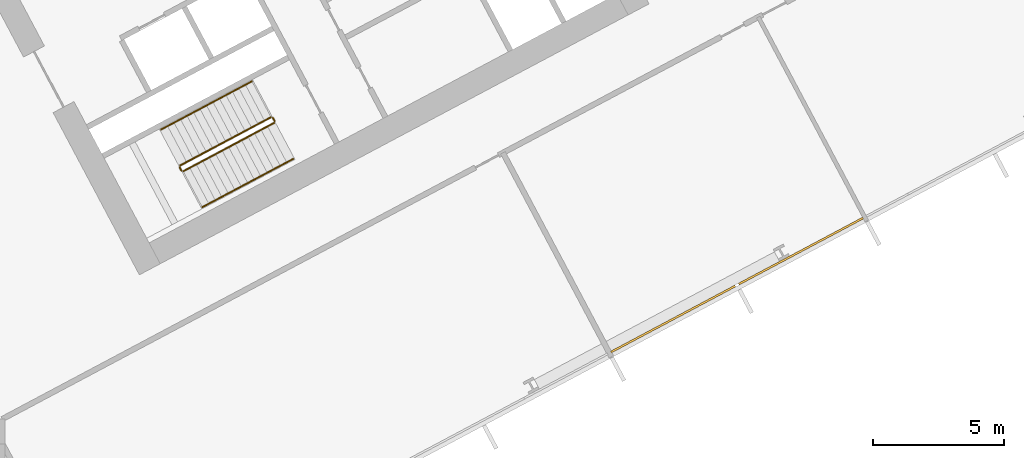
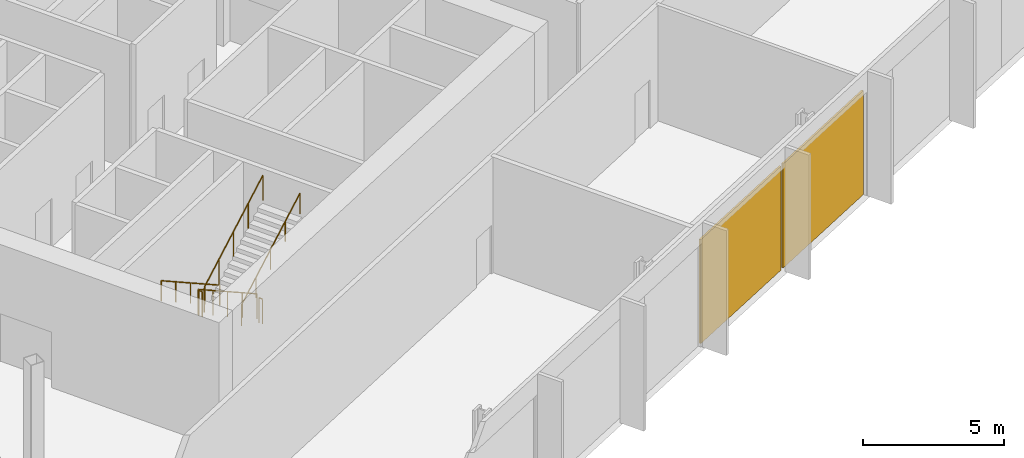
# One storey, part 27 of 32: 6 railings, 2 coverings, 1 element without a shape of its own.
"""IFC4 building model written with IfcOpenShell, lengths in metres."""

from ifc_helpers import new_model, si_unit, direction, frame, origin, origin_2d, place, context, subcontext, project, spatial, polyline, rectangle, outline, extrude, material, layer, layer_set, type_object, element, aggregate, save


model = new_model("IFC4")

# Units and contexts
model_context = context("Model", 3, precision=1e-05, world=origin(), true_north=direction((0.0, 1.0)))
body_context = subcontext(model_context, "Body", "Model", "MODEL_VIEW")
ifc_project = project(units=[si_unit("LENGTHUNIT", "METRE"), si_unit("AREAUNIT", "SQUARE_METRE"), si_unit("VOLUMEUNIT", "CUBIC_METRE"), si_unit("PLANEANGLEUNIT", "RADIAN"), si_unit("MASSUNIT", "GRAM", prefix="KILO")], contexts=[model_context])

# Site, building, storey
site_placement = place(None, origin())
site = spatial("IfcSite", under=ifc_project, at=site_placement, CompositionType="ELEMENT")
building_placement = place(site_placement, origin())
building = spatial("IfcBuilding", under=site, at=building_placement, Name="Cormorant Relay Tower", CompositionType="ELEMENT")
storey_placement = place(building_placement, frame((0.0, 0.0, 60.800048828125)))
storey = spatial("IfcBuildingStorey", under=building, at=storey_placement, Name="L11", CompositionType="ELEMENT", Elevation=60.800048828125)

# Curtain wall, coverings
ifc_material_1 = material(Name="Aluminium 6063-T6 anodised bronze", Category="aluminium")
ifc_layer_1 = layer(ifc_material_1, 0.235107421875)
ifc_layer_set_1 = layer_set([ifc_layer_1], Name="CW6 data hall curtain wall with mineral wool panels")
curtain_wall_type = type_object("IfcCurtainWallType", Name="CW6 data hall curtain wall with mineral wool panels", PredefinedType="NOTDEFINED", material=ifc_layer_set_1)
curtain_wall_placement = place(storey_placement, origin())
curtain_wall = element("IfcCurtainWall", 1, at=curtain_wall_placement, inside=storey, type_object=curtain_wall_type, Name="CW6 curtain wall 2", PredefinedType="NOTDEFINED")
ifc_material_2 = material(Name="Mineral wool cored anodised bronze aluminium cassette panel", Category="aluminium")
ifc_layer_2 = layer(ifc_material_2, 0.074951171875)
ifc_layer_set_2 = layer_set([ifc_layer_2], Name="CW6 mineral wool cassette panel 75")
covering_type = type_object("IfcCoveringType", Name="CW6 mineral wool cassette panel 75", PredefinedType="CLADDING", material=ifc_layer_set_2)
covering_1_placement = place(storey_placement, frame((39.16650390625, -3.001220703125, 0.0), z_axis=(0.0, 0.0, 1.0), x_axis=(0.882947592859, 0.469471562786, 0.0)))
covering_1 = element("IfcCovering", 2, at=covering_1_placement, type_object=covering_type, Name="CW6 panel S07", PredefinedType="CLADDING", context=body_context, shape_type="SweptSolid", body=[
    extrude(rectangle(XDim=5.36181640625, YDim=0.074951171875, at=origin_2d()), origin(), (0.0, 0.0, 1.0), 4.5),
])
covering_2_placement = place(storey_placement, frame((44.033203125, -0.41357421875, 0.0), z_axis=(0.0, 0.0, 1.0), x_axis=(0.882947592859, 0.469471562786, 0.0)))
covering_2 = element("IfcCovering", 3, at=covering_2_placement, type_object=covering_type, Name="CW6 panel S08", PredefinedType="CLADDING", context=body_context, shape_type="SweptSolid", body=[
    extrude(rectangle(XDim=5.36181640625, YDim=0.074951171875, at=origin_2d()), origin(), (0.0, 0.0, 1.0), 4.5),
])
aggregate(curtain_wall, [covering_1, covering_2])

# Railings
ifc_material_3 = material(Name="Steel ASTM A572 Grade 50 (Fy 345 MPa)", Category="steel")
railing_type_1 = type_object("IfcRailingType", Name="Stair guard 1100", PredefinedType="GUARDRAIL", material=ifc_material_3)
railing_1_placement = place(storey_placement, frame((23.83837890625, 4.6904296875, 0.179931640625)))
element("IfcRailing", 4, at=railing_1_placement, inside=storey, type_object=railing_type_1, Name="L11 B1 stair guard 1", PredefinedType="GUARDRAIL", context=body_context, shape_type="SweptSolid", body=[
    extrude(outline(polyline([(0.022216796875, 0.00927734375), (0.00927734375, 0.022216796875), (-0.00927734375, 0.022216796875), (-0.022216796875, 0.00927734375), (-0.022216796875, -0.00927734375), (-0.00927734375, -0.022216796875), (0.00927734375, -0.022216796875), (0.022216796875, -0.00927734375), (0.022216796875, 0.00927734375)])), frame((0.0, 0.0, 1.076171875), z_axis=(-0.74271721126, -0.394907409077, 0.540758062681), x_axis=(0.469469396681, -0.882948744594, 0.0)), (0.0, 0.0, 1.0), 4.66015625),
    extrude(outline(polyline([(0.019287109375, 0.008056640625), (0.008056640625, 0.019287109375), (-0.008056640625, 0.019287109375), (-0.019287109375, 0.008056640625), (-0.019287109375, -0.008056640625), (-0.008056640625, -0.019287109375), (0.008056640625, -0.019287109375), (0.019287109375, -0.008056640625), (0.019287109375, 0.008056640625)])), origin(), (0.0, 0.0, 1.0), 1.052001953125),
    extrude(outline(polyline([(0.019287109375, 0.008056640625), (0.008056640625, 0.019287109375), (-0.008056640625, 0.019287109375), (-0.019287109375, 0.008056640625), (-0.019287109375, -0.008056640625), (-0.008056640625, -0.019287109375), (0.008056640625, -0.019287109375), (0.019287109375, -0.008056640625), (0.019287109375, 0.008056640625)])), frame((-0.865234375, -0.4599609375, 0.6298828125)), (0.0, 0.0, 1.0), 1.052001953125),
    extrude(outline(polyline([(0.019287109375, 0.008056640625), (0.008056640625, 0.019287109375), (-0.008056640625, 0.019287109375), (-0.019287109375, 0.008056640625), (-0.019287109375, -0.008056640625), (-0.008056640625, -0.019287109375), (0.008056640625, -0.019287109375), (0.019287109375, -0.008056640625), (0.019287109375, 0.008056640625)])), frame((-1.73046875, -0.920166015625, 1.260009765625)), (0.0, 0.0, 1.0), 1.052001953125),
    extrude(outline(polyline([(0.019287109375, 0.008056640625), (0.008056640625, 0.019287109375), (-0.008056640625, 0.019287109375), (-0.019287109375, 0.008056640625), (-0.019287109375, -0.008056640625), (-0.008056640625, -0.019287109375), (0.008056640625, -0.019287109375), (0.019287109375, -0.008056640625), (0.019287109375, 0.008056640625)])), frame((-2.595947265625, -1.38037109375, 1.89013671875)), (0.0, 0.0, 1.0), 1.052001953125),
    extrude(outline(polyline([(0.019287109375, 0.008056640625), (0.008056640625, 0.019287109375), (-0.008056640625, 0.019287109375), (-0.019287109375, 0.008056640625), (-0.019287109375, -0.008056640625), (-0.008056640625, -0.019287109375), (0.008056640625, -0.019287109375), (0.019287109375, -0.008056640625), (0.019287109375, 0.008056640625)])), frame((-3.461181640625, -1.84033203125, 2.52001953125)), (0.0, 0.0, 1.0), 1.052001953125),
])
railing_2_placement = place(storey_placement, frame((20.3564453125, 2.782470703125, 2.699951171875)))
element("IfcRailing", 5, at=railing_2_placement, inside=storey, type_object=railing_type_1, Name="L11 B1 stair guard 2", PredefinedType="GUARDRAIL", context=body_context, shape_type="SweptSolid", body=[
    extrude(outline(polyline([(0.022216796875, 0.00927734375), (0.00927734375, 0.022216796875), (-0.00927734375, 0.022216796875), (-0.022216796875, 0.00927734375), (-0.022216796875, -0.00927734375), (-0.00927734375, -0.022216796875), (0.00927734375, -0.022216796875), (0.022216796875, -0.00927734375), (0.022216796875, 0.00927734375)])), frame((0.0, 0.0, 1.076171875), z_axis=(0.470503732759, -0.882398003998, 0.0), x_axis=(0.882398003998, 0.470503732759, 0.0)), (0.0, 0.0, 1.0), 0.14990234375),
    extrude(outline(polyline([(0.019287109375, 0.008056640625), (0.008056640625, 0.019287109375), (-0.008056640625, 0.019287109375), (-0.019287109375, 0.008056640625), (-0.019287109375, -0.008056640625), (-0.008056640625, -0.019287109375), (0.008056640625, -0.019287109375), (0.019287109375, -0.008056640625), (0.019287109375, 0.008056640625)])), origin(), (0.0, 0.0, 1.0), 1.052001953125),
    extrude(outline(polyline([(0.019287109375, 0.008056640625), (0.008056640625, 0.019287109375), (-0.008056640625, 0.019287109375), (-0.019287109375, 0.008056640625), (-0.019287109375, -0.008056640625), (-0.008056640625, -0.019287109375), (0.008056640625, -0.019287109375), (0.019287109375, -0.008056640625), (0.019287109375, 0.008056640625)])), frame((0.070556640625, -0.13232421875, 0.0)), (0.0, 0.0, 1.0), 1.052001953125),
])
railing_3_placement = place(storey_placement, frame((20.49462890625, 2.62939453125, 2.8798828125)))
element("IfcRailing", 6, at=railing_3_placement, inside=storey, type_object=railing_type_1, Name="L11 B1 stair guard 3", PredefinedType="GUARDRAIL", context=body_context, shape_type="SweptSolid", body=[
    extrude(outline(polyline([(0.022216796875, 0.00927734375), (0.00927734375, 0.022216796875), (-0.00927734375, 0.022216796875), (-0.022216796875, 0.00927734375), (-0.022216796875, -0.00927734375), (-0.00927734375, -0.022216796875), (0.00927734375, -0.022216796875), (0.022216796875, -0.00927734375), (0.022216796875, 0.00927734375)])), frame((0.0, 0.0, 1.076171875), z_axis=(0.742693720225, 0.394922775329, 0.540779104131), x_axis=(-0.469495214196, 0.882935016775, 0.0)), (0.0, 0.0, 1.0), 4.659912109375),
    extrude(outline(polyline([(0.019287109375, 0.008056640625), (0.008056640625, 0.019287109375), (-0.008056640625, 0.019287109375), (-0.019287109375, 0.008056640625), (-0.019287109375, -0.008056640625), (-0.008056640625, -0.019287109375), (0.008056640625, -0.019287109375), (0.019287109375, -0.008056640625), (0.019287109375, 0.008056640625)])), origin(), (0.0, 0.0, 1.0), 1.052001953125),
    extrude(outline(polyline([(0.019287109375, 0.008056640625), (0.008056640625, 0.019287109375), (-0.008056640625, 0.019287109375), (-0.019287109375, 0.008056640625), (-0.019287109375, -0.008056640625), (-0.008056640625, -0.019287109375), (0.008056640625, -0.019287109375), (0.019287109375, -0.008056640625), (0.019287109375, 0.008056640625)])), frame((0.865234375, 0.4599609375, 0.6298828125)), (0.0, 0.0, 1.0), 1.052001953125),
    extrude(outline(polyline([(0.019287109375, 0.008056640625), (0.008056640625, 0.019287109375), (-0.008056640625, 0.019287109375), (-0.019287109375, 0.008056640625), (-0.019287109375, -0.008056640625), (-0.008056640625, -0.019287109375), (0.008056640625, -0.019287109375), (0.019287109375, -0.008056640625), (0.019287109375, 0.008056640625)])), frame((1.73046875, 0.920166015625, 1.260009765625)), (0.0, 0.0, 1.0), 1.052001953125),
    extrude(outline(polyline([(0.019287109375, 0.008056640625), (0.008056640625, 0.019287109375), (-0.008056640625, 0.019287109375), (-0.019287109375, 0.008056640625), (-0.019287109375, -0.008056640625), (-0.008056640625, -0.019287109375), (0.008056640625, -0.019287109375), (0.019287109375, -0.008056640625), (0.019287109375, 0.008056640625)])), frame((2.595703125, 1.38037109375, 1.89013671875)), (0.0, 0.0, 1.0), 1.052001953125),
    extrude(outline(polyline([(0.019287109375, 0.008056640625), (0.008056640625, 0.019287109375), (-0.008056640625, 0.019287109375), (-0.019287109375, 0.008056640625), (-0.019287109375, -0.008056640625), (-0.008056640625, -0.019287109375), (0.008056640625, -0.019287109375), (0.019287109375, -0.008056640625), (0.019287109375, 0.008056640625)])), frame((3.4609375, 1.84033203125, 2.52001953125)), (0.0, 0.0, 1.0), 1.052001953125),
])
railing_4_placement = place(storey_placement, frame((23.906005859375, 4.669677734375, 0.0)))
element("IfcRailing", 7, at=railing_4_placement, inside=storey, type_object=railing_type_1, Name="L11 B1 stair guard 4", PredefinedType="GUARDRAIL", context=body_context, shape_type="SweptSolid", body=[
    extrude(outline(polyline([(0.022216796875, 0.00927734375), (0.00927734375, 0.022216796875), (-0.00927734375, 0.022216796875), (-0.022216796875, 0.00927734375), (-0.022216796875, -0.00927734375), (-0.00927734375, -0.022216796875), (0.00927734375, -0.022216796875), (0.022216796875, -0.00927734375), (0.022216796875, 0.00927734375)])), frame((0.0, 0.0, 1.076171875), z_axis=(0.469234640946, -0.883073525669, 0.0), x_axis=(0.883073525669, 0.469234640946, 0.0)), (0.0, 0.0, 1.0), 0.14990234375),
    extrude(outline(polyline([(0.019287109375, 0.008056640625), (0.008056640625, 0.019287109375), (-0.008056640625, 0.019287109375), (-0.019287109375, 0.008056640625), (-0.019287109375, -0.008056640625), (-0.008056640625, -0.019287109375), (0.008056640625, -0.019287109375), (0.019287109375, -0.008056640625), (0.019287109375, 0.008056640625)])), origin(), (0.0, 0.0, 1.0), 1.052001953125),
    extrude(outline(polyline([(0.019287109375, 0.008056640625), (0.008056640625, 0.019287109375), (-0.008056640625, 0.019287109375), (-0.019287109375, 0.008056640625), (-0.019287109375, -0.008056640625), (-0.008056640625, -0.019287109375), (0.008056640625, -0.019287109375), (0.019287109375, -0.008056640625), (0.019287109375, 0.008056640625)])), frame((0.0703125, -0.13232421875, 0.0)), (0.0, 0.0, 1.0), 1.052001953125),
])
ifc_material_4 = material(Name="Steel ASTM A572 Grade 50 (Fy 345 MPa)", Category="steel")
railing_type_2 = type_object("IfcRailingType", Name="Stair handrail 900", PredefinedType="HANDRAIL", material=ifc_material_4)
railing_5_placement = place(storey_placement, frame((23.110595703125, 6.05908203125, 0.179931640625)))
element("IfcRailing", 8, at=railing_5_placement, inside=storey, type_object=railing_type_2, Name="L11 B1 stair handrail 1", PredefinedType="HANDRAIL", context=body_context, shape_type="SweptSolid", body=[
    extrude(outline(polyline([(0.022216796875, 0.00927734375), (0.00927734375, 0.022216796875), (-0.00927734375, 0.022216796875), (-0.022216796875, 0.00927734375), (-0.022216796875, -0.00927734375), (-0.00927734375, -0.022216796875), (0.00927734375, -0.022216796875), (0.022216796875, -0.00927734375), (0.022216796875, 0.00927734375)])), frame((0.0, 0.0, 0.8759765625), z_axis=(-0.74271721126, -0.394907409077, 0.540758062681), x_axis=(0.469469396681, -0.882948744594, 0.0)), (0.0, 0.0, 1.0), 4.66015625),
    extrude(outline(polyline([(0.019287109375, 0.008056640625), (0.008056640625, 0.019287109375), (-0.008056640625, 0.019287109375), (-0.019287109375, 0.008056640625), (-0.019287109375, -0.008056640625), (-0.008056640625, -0.019287109375), (0.008056640625, -0.019287109375), (0.019287109375, -0.008056640625), (0.019287109375, 0.008056640625)])), origin(), (0.0, 0.0, 1.0), 0.851806640625),
    extrude(outline(polyline([(0.019287109375, 0.008056640625), (0.008056640625, 0.019287109375), (-0.008056640625, 0.019287109375), (-0.019287109375, 0.008056640625), (-0.019287109375, -0.008056640625), (-0.008056640625, -0.019287109375), (0.008056640625, -0.019287109375), (0.019287109375, -0.008056640625), (0.019287109375, 0.008056640625)])), frame((-0.865234375, -0.4599609375, 0.6298828125)), (0.0, 0.0, 1.0), 0.851806640625),
    extrude(outline(polyline([(0.019287109375, 0.008056640625), (0.008056640625, 0.019287109375), (-0.008056640625, 0.019287109375), (-0.019287109375, 0.008056640625), (-0.019287109375, -0.008056640625), (-0.008056640625, -0.019287109375), (0.008056640625, -0.019287109375), (0.019287109375, -0.008056640625), (0.019287109375, 0.008056640625)])), frame((-1.73046875, -0.920166015625, 1.260009765625)), (0.0, 0.0, 1.0), 0.851806640625),
    extrude(outline(polyline([(0.019287109375, 0.008056640625), (0.008056640625, 0.019287109375), (-0.008056640625, 0.019287109375), (-0.019287109375, 0.008056640625), (-0.019287109375, -0.008056640625), (-0.008056640625, -0.019287109375), (0.008056640625, -0.019287109375), (0.019287109375, -0.008056640625), (0.019287109375, 0.008056640625)])), frame((-2.595947265625, -1.38037109375, 1.89013671875)), (0.0, 0.0, 1.0), 0.851806640625),
    extrude(outline(polyline([(0.019287109375, 0.008056640625), (0.008056640625, 0.019287109375), (-0.008056640625, 0.019287109375), (-0.019287109375, 0.008056640625), (-0.019287109375, -0.008056640625), (-0.008056640625, -0.019287109375), (0.008056640625, -0.019287109375), (0.019287109375, -0.008056640625), (0.019287109375, 0.008056640625)])), frame((-3.461181640625, -1.84033203125, 2.52001953125)), (0.0, 0.0, 1.0), 0.851806640625),
])
railing_6_placement = place(storey_placement, frame((21.22216796875, 1.2607421875, 2.8798828125)))
element("IfcRailing", 9, at=railing_6_placement, inside=storey, type_object=railing_type_2, Name="L11 B1 stair handrail 2", PredefinedType="HANDRAIL", context=body_context, shape_type="SweptSolid", body=[
    extrude(outline(polyline([(0.022216796875, 0.00927734375), (0.00927734375, 0.022216796875), (-0.00927734375, 0.022216796875), (-0.022216796875, 0.00927734375), (-0.022216796875, -0.00927734375), (-0.00927734375, -0.022216796875), (0.00927734375, -0.022216796875), (0.022216796875, -0.00927734375), (0.022216796875, 0.00927734375)])), frame((0.0, 0.0, 0.8759765625), z_axis=(0.74271721126, 0.394907409077, 0.540758062681), x_axis=(-0.469469396681, 0.882948744594, 0.0)), (0.0, 0.0, 1.0), 4.66015625),
    extrude(outline(polyline([(0.019287109375, 0.008056640625), (0.008056640625, 0.019287109375), (-0.008056640625, 0.019287109375), (-0.019287109375, 0.008056640625), (-0.019287109375, -0.008056640625), (-0.008056640625, -0.019287109375), (0.008056640625, -0.019287109375), (0.019287109375, -0.008056640625), (0.019287109375, 0.008056640625)])), origin(), (0.0, 0.0, 1.0), 0.851806640625),
    extrude(outline(polyline([(0.019287109375, 0.008056640625), (0.008056640625, 0.019287109375), (-0.008056640625, 0.019287109375), (-0.019287109375, 0.008056640625), (-0.019287109375, -0.008056640625), (-0.008056640625, -0.019287109375), (0.008056640625, -0.019287109375), (0.019287109375, -0.008056640625), (0.019287109375, 0.008056640625)])), frame((0.865234375, 0.4599609375, 0.6298828125)), (0.0, 0.0, 1.0), 0.851806640625),
    extrude(outline(polyline([(0.019287109375, 0.008056640625), (0.008056640625, 0.019287109375), (-0.008056640625, 0.019287109375), (-0.019287109375, 0.008056640625), (-0.019287109375, -0.008056640625), (-0.008056640625, -0.019287109375), (0.008056640625, -0.019287109375), (0.019287109375, -0.008056640625), (0.019287109375, 0.008056640625)])), frame((1.73046875, 0.920166015625, 1.260009765625)), (0.0, 0.0, 1.0), 0.851806640625),
    extrude(outline(polyline([(0.019287109375, 0.008056640625), (0.008056640625, 0.019287109375), (-0.008056640625, 0.019287109375), (-0.019287109375, 0.008056640625), (-0.019287109375, -0.008056640625), (-0.008056640625, -0.019287109375), (0.008056640625, -0.019287109375), (0.019287109375, -0.008056640625), (0.019287109375, 0.008056640625)])), frame((2.595947265625, 1.38037109375, 1.89013671875)), (0.0, 0.0, 1.0), 0.851806640625),
    extrude(outline(polyline([(0.019287109375, 0.008056640625), (0.008056640625, 0.019287109375), (-0.008056640625, 0.019287109375), (-0.019287109375, 0.008056640625), (-0.019287109375, -0.008056640625), (-0.008056640625, -0.019287109375), (0.008056640625, -0.019287109375), (0.019287109375, -0.008056640625), (0.019287109375, 0.008056640625)])), frame((3.461181640625, 1.84033203125, 2.52001953125)), (0.0, 0.0, 1.0), 0.851806640625),
])

save(model, "model.ifc")
